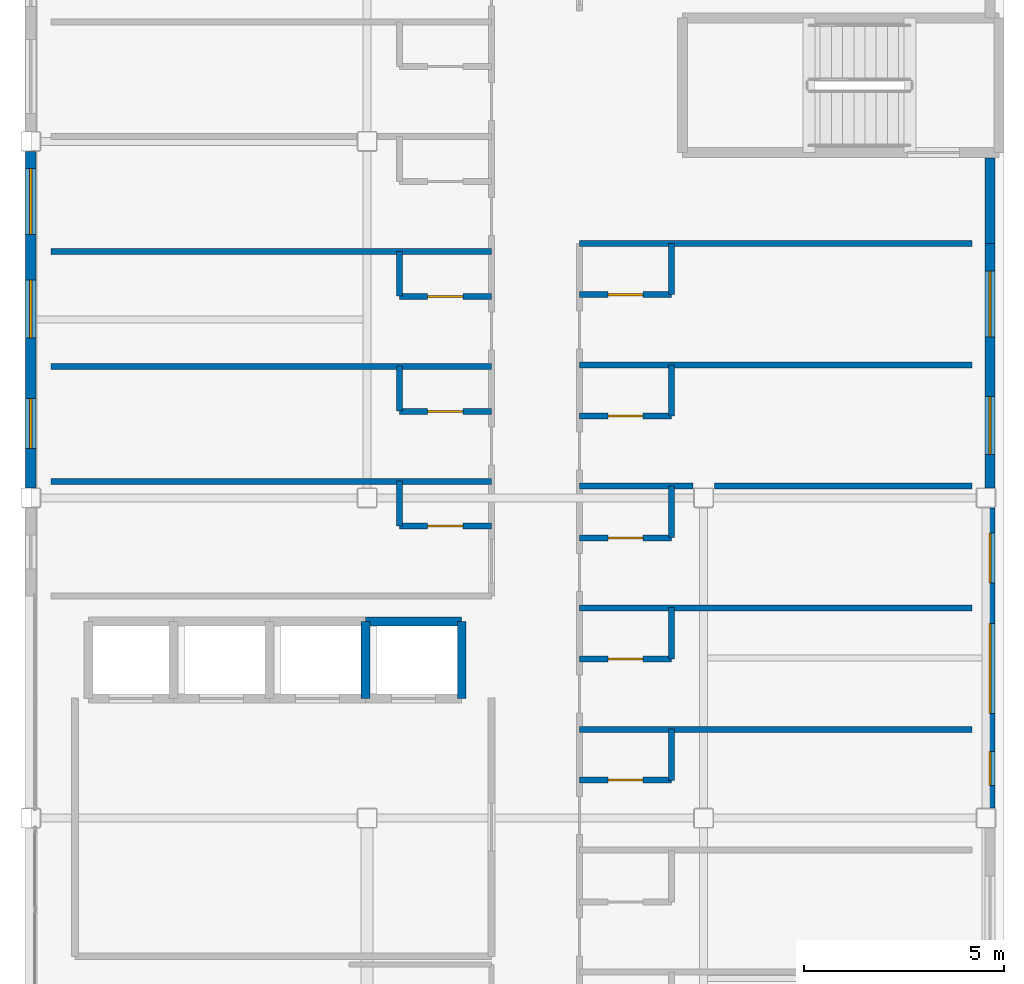
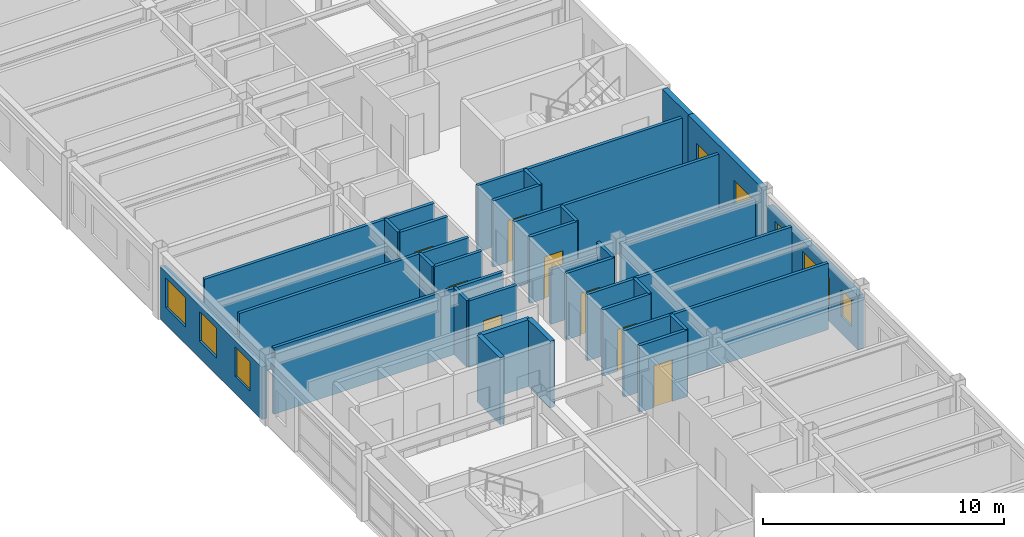
# One storey, part 28 of 33: 32 walls, 8 doors, 8 windows, 16 openings.
"""IFC4 building model written with IfcOpenShell, lengths in metres."""

from ifc_helpers import new_model, si_unit, direction, frame, frame_2d, origin, place, context, subcontext, project, spatial, rectangle, extrude, material, layer, layer_set, type_object, element, fill, save


model = new_model("IFC4")

# Units and contexts
model_context = context("Model", 3, precision=1e-05, world=origin(), true_north=direction((0.0, 1.0)))
body_context = subcontext(model_context, "Body", "Model", "MODEL_VIEW")
ifc_project = project(units=[si_unit("LENGTHUNIT", "METRE"), si_unit("AREAUNIT", "SQUARE_METRE"), si_unit("VOLUMEUNIT", "CUBIC_METRE"), si_unit("PLANEANGLEUNIT", "RADIAN"), si_unit("MASSUNIT", "GRAM", prefix="KILO")], contexts=[model_context])

# Site, building, storey
site_placement = place(None, origin())
site = spatial("IfcSite", under=ifc_project, at=site_placement, CompositionType="ELEMENT")
building_placement = place(site_placement, origin())
building = spatial("IfcBuilding", under=site, at=building_placement, Name="Kazehara Bluff Congress Hotel", CompositionType="ELEMENT")
storey_placement = place(building_placement, frame((0.0, 0.0, 39.0)))
storey = spatial("IfcBuildingStorey", under=building, at=storey_placement, Name="L09", CompositionType="ELEMENT", Elevation=39.0)

# Wall
ifc_material_1 = material(Name="Precast concrete C40/50", Category="concrete")
ifc_layer_1 = layer(ifc_material_1, 0.239990234375)
ifc_layer_set_1 = layer_set([ifc_layer_1], Name="Precast concrete C40/50")
wall_type_1 = type_object("IfcWallType", Name="TP-EW-240", PredefinedType="SOLIDWALL", material=ifc_layer_set_1)
wall_1_placement = place(storey_placement, frame((167.64990234375, 72.93994140625, 0.0), z_axis=(0.0, 0.0, 1.0), x_axis=(0.0, -1.0, 0.0)))
element("IfcWall", 1, at=wall_1_placement, inside=storey, type_object=wall_type_1, Name="L09 V5 perimeter spandrel pier 753", PredefinedType="SOLIDWALL", context=body_context, shape_type="SweptSolid", body=[
    extrude(rectangle(XDim=2.139892578125, YDim=0.239990234375, at=frame_2d((1.06982421875, 0.0))), origin(), (0.0, 0.0, 1.0), 3.364990234375),
])

# Wall, openings, windows
ifc_material_2 = material(Name="Precast concrete C40/50", Category="concrete")
ifc_layer_2 = layer(ifc_material_2, 0.260009765625)
ifc_layer_set_2 = layer_set([ifc_layer_2], Name="Precast concrete C40/50")
wall_type_2 = type_object("IfcWallType", Name="TP-EW-260", PredefinedType="SOLIDWALL", material=ifc_layer_set_2)
wall_2_placement = place(storey_placement, frame((167.64990234375, 64.199951171875, 0.0), z_axis=(0.0, 0.0, 1.0), x_axis=(0.0, -1.0, 0.0)))
wall_2 = element("IfcWall", 2, at=wall_2_placement, inside=storey, type_object=wall_type_2, Name="L09 hotel facade panel 136", PredefinedType="SOLIDWALL", context=body_context, shape_type="SweptSolid", body=[
    extrude(rectangle(XDim=7.5, YDim=0.260009765625, at=frame_2d((3.75, 0.0))), origin(), (0.0, 0.0, 1.0), 2.7548828125),
])
opening_1_placement = place(wall_2_placement, frame((6.090087890625, 0.0, 0.85009765625)))
opening_1 = element("IfcOpeningElement", 3, at=opening_1_placement, cuts=wall_2, Name="Opening WN-55", PredefinedType="OPENING", context=body_context, shape_type="SweptSolid", body=[
    extrude(rectangle(XDim=0.85009765625, YDim=1.35009765625, at=frame_2d((0.425048828125, 0.675048828125))), frame((0.0, 0.139892578125, 0.0), z_axis=(0.0, -1.0, 0.0), x_axis=(1.0, 0.0, 0.0)), (0.0, 0.0, 1.0), 0.280029296875),
])
opening_2_placement = place(wall_2_placement, frame((2.885009765625, 0.0, 0.85009765625)))
opening_2 = element("IfcOpeningElement", 4, at=opening_2_placement, cuts=wall_2, Name="Opening WN-51", PredefinedType="OPENING", context=body_context, shape_type="SweptSolid", body=[
    extrude(rectangle(XDim=2.25, YDim=1.35009765625, at=frame_2d((1.125, 0.675048828125))), frame((0.0, 0.139892578125, 0.0), z_axis=(0.0, -1.0, 0.0), x_axis=(1.0, 0.0, 0.0)), (0.0, 0.0, 1.0), 0.280029296875),
])
opening_3_placement = place(wall_2_placement, frame((0.625, 0.0, 0.85009765625)))
opening_3 = element("IfcOpeningElement", 5, at=opening_3_placement, cuts=wall_2, Name="Opening WN-07", PredefinedType="OPENING", context=body_context, shape_type="SweptSolid", body=[
    extrude(rectangle(XDim=1.25, YDim=1.5, at=frame_2d((0.625, 0.75))), frame((0.0, 0.139892578125, 0.0), z_axis=(0.0, -1.0, 0.0), x_axis=(1.0, 0.0, 0.0)), (0.0, 0.0, 1.0), 0.280029296875),
])
ifc_material_3 = material(Name="Insulated low-E double glazing", Category="glass")
window_type_1 = type_object("IfcWindowType", Name="TP-WN-07", PartitioningType="SINGLE_PANEL", PredefinedType="WINDOW", material=ifc_material_3)
window_1_placement = place(opening_3_placement, origin())
window_1 = element("IfcWindow", 6, at=window_1_placement, inside=storey, type_object=window_type_1, Name="L09 guestroom window WN-07 269", OverallHeight=1.5, OverallWidth=1.25, PartitioningType="SINGLE_PANEL", PredefinedType="WINDOW", context=body_context, shape_type="SweptSolid", body=[
    extrude(rectangle(XDim=1.25, YDim=1.5, at=frame_2d((0.625, 0.75))), frame((0.0, 0.030029296875, 0.0), z_axis=(0.0, -1.0, 0.0), x_axis=(1.0, 0.0, 0.0)), (0.0, 0.0, 1.0), 0.06005859375),
])
fill(opening_3, window_1)
ifc_material_4 = material(Name="Insulated low-E double glazing", Category="glass")
window_type_2 = type_object("IfcWindowType", Name="TP-WN-51", PartitioningType="DOUBLE_PANEL_VERTICAL", PredefinedType="WINDOW", material=ifc_material_4)
window_2_placement = place(opening_2_placement, origin())
window_2 = element("IfcWindow", 7, at=window_2_placement, inside=storey, type_object=window_type_2, Name="L09 guestroom window WN-51 268", OverallHeight=1.35009765625, OverallWidth=2.25, PartitioningType="SINGLE_PANEL", PredefinedType="WINDOW", context=body_context, shape_type="SweptSolid", body=[
    extrude(rectangle(XDim=2.25, YDim=1.35009765625, at=frame_2d((1.125, 0.675048828125))), frame((0.0, 0.030029296875, 0.0), z_axis=(0.0, -1.0, 0.0), x_axis=(1.0, 0.0, 0.0)), (0.0, 0.0, 1.0), 0.06005859375),
])
fill(opening_2, window_2)
ifc_material_5 = material(Name="Insulated low-E double glazing", Category="glass")
window_type_3 = type_object("IfcWindowType", Name="TP-WN-55", PartitioningType="SINGLE_PANEL", PredefinedType="WINDOW", material=ifc_material_5)
window_3_placement = place(opening_1_placement, origin())
window_3 = element("IfcWindow", 8, at=window_3_placement, inside=storey, type_object=window_type_3, Name="L09 guestroom window WN-55 267", OverallHeight=1.35009765625, OverallWidth=0.85009765625, PartitioningType="SINGLE_PANEL", PredefinedType="WINDOW", context=body_context, shape_type="SweptSolid", body=[
    extrude(rectangle(XDim=0.85009765625, YDim=1.35009765625, at=frame_2d((0.425048828125, 0.675048828125))), frame((0.0, 0.030029296875, 0.0), z_axis=(0.0, -1.0, 0.0), x_axis=(1.0, 0.0, 0.0)), (0.0, 0.0, 1.0), 0.06005859375),
])
fill(opening_1, window_3)

wall_3_placement = place(storey_placement, frame((167.64990234375, 70.800048828125, 0.0), z_axis=(0.0, 0.0, 1.0), x_axis=(0.0, -1.0, 0.0)))
wall_3 = element("IfcWall", 9, at=wall_3_placement, inside=storey, type_object=wall_type_2, Name="L09 hotel facade panel 137", PredefinedType="SOLIDWALL", context=body_context, shape_type="SweptSolid", body=[
    extrude(rectangle(XDim=6.10009765625, YDim=0.260009765625, at=frame_2d((3.050048828125, 0.0))), origin(), (0.0, 0.0, 1.0), 3.364990234375),
])
opening_4_placement = place(wall_3_placement, frame((3.820068359375, 0.0, 0.85009765625)))
opening_4 = element("IfcOpeningElement", 10, at=opening_4_placement, cuts=wall_3, Name="Opening WN-17", PredefinedType="OPENING", context=body_context, shape_type="SweptSolid", body=[
    extrude(rectangle(XDim=1.449951171875, YDim=1.5, at=frame_2d((0.72509765625, 0.75))), frame((0.0, 0.139892578125, 0.0), z_axis=(0.0, -1.0, 0.0), x_axis=(1.0, 0.0, 0.0)), (0.0, 0.0, 1.0), 0.280029296875),
])
opening_5_placement = place(wall_3_placement, frame((0.68994140625, 0.0, 0.85009765625)))
opening_5 = element("IfcOpeningElement", 11, at=opening_5_placement, cuts=wall_3, Name="Opening WN-27", PredefinedType="OPENING", context=body_context, shape_type="SweptSolid", body=[
    extrude(rectangle(XDim=1.64990234375, YDim=1.5, at=frame_2d((0.824951171875, 0.75))), frame((0.0, 0.139892578125, 0.0), z_axis=(0.0, -1.0, 0.0), x_axis=(1.0, 0.0, 0.0)), (0.0, 0.0, 1.0), 0.280029296875),
])
ifc_material_6 = material(Name="Insulated low-E double glazing", Category="glass")
window_type_4 = type_object("IfcWindowType", Name="TP-WN-17", PartitioningType="SINGLE_PANEL", PredefinedType="WINDOW", material=ifc_material_6)
window_4_placement = place(opening_4_placement, origin())
window_4 = element("IfcWindow", 12, at=window_4_placement, inside=storey, type_object=window_type_4, Name="L09 guestroom window WN-17 270", OverallHeight=1.5, OverallWidth=1.449951171875, PartitioningType="SINGLE_PANEL", PredefinedType="WINDOW", context=body_context, shape_type="SweptSolid", body=[
    extrude(rectangle(XDim=1.449951171875, YDim=1.5, at=frame_2d((0.72509765625, 0.75))), frame((0.0, 0.030029296875, 0.0), z_axis=(0.0, -1.0, 0.0), x_axis=(1.0, 0.0, 0.0)), (0.0, 0.0, 1.0), 0.06005859375),
])
fill(opening_4, window_4)
ifc_material_7 = material(Name="Insulated low-E double glazing", Category="glass")
window_type_5 = type_object("IfcWindowType", Name="TP-WN-27", PartitioningType="SINGLE_PANEL", PredefinedType="WINDOW", material=ifc_material_7)
window_5_placement = place(opening_5_placement, origin())
window_5 = element("IfcWindow", 13, at=window_5_placement, inside=storey, type_object=window_type_5, Name="L09 guestroom window WN-27 271", OverallHeight=1.5, OverallWidth=1.64990234375, PartitioningType="SINGLE_PANEL", PredefinedType="WINDOW", context=body_context, shape_type="SweptSolid", body=[
    extrude(rectangle(XDim=1.64990234375, YDim=1.5, at=frame_2d((0.824951171875, 0.75))), frame((0.0, 0.030029296875, 0.0), z_axis=(0.0, -1.0, 0.0), x_axis=(1.0, 0.0, 0.0)), (0.0, 0.0, 1.0), 0.06005859375),
])
fill(opening_5, window_5)

wall_4_placement = place(storey_placement, frame((143.699951171875, 64.699951171875, 0.0), z_axis=(0.0, 0.0, 1.0), x_axis=(0.0, 1.0, 0.0)))
wall_4 = element("IfcWall", 14, at=wall_4_placement, inside=storey, type_object=wall_type_2, Name="L09 hotel facade panel 146", PredefinedType="SOLIDWALL", context=body_context, shape_type="SweptSolid", body=[
    extrude(rectangle(XDim=8.400146484375, YDim=0.260009765625, at=frame_2d((4.2001953125, 0.0))), origin(), (0.0, 0.0, 1.0), 2.655029296875),
])
opening_6_placement = place(wall_4_placement, frame((0.97509765625, 0.0, 0.85009765625)))
opening_6 = element("IfcOpeningElement", 15, at=opening_6_placement, cuts=wall_4, Name="Opening WN-07", PredefinedType="OPENING", context=body_context, shape_type="SweptSolid", body=[
    extrude(rectangle(XDim=1.25, YDim=1.5, at=frame_2d((0.625, 0.75))), frame((0.0, 0.139892578125, 0.0), z_axis=(0.0, -1.0, 0.0), x_axis=(1.0, 0.0, 0.0)), (0.0, 0.0, 1.0), 0.280029296875),
])
opening_7_placement = place(wall_4_placement, frame((3.739990234375, 0.0, 0.85009765625)))
opening_7 = element("IfcOpeningElement", 16, at=opening_7_placement, cuts=wall_4, Name="Opening WN-17", PredefinedType="OPENING", context=body_context, shape_type="SweptSolid", body=[
    extrude(rectangle(XDim=1.449951171875, YDim=1.5, at=frame_2d((0.72509765625, 0.75))), frame((0.0, 0.139892578125, 0.0), z_axis=(0.0, -1.0, 0.0), x_axis=(1.0, 0.0, 0.0)), (0.0, 0.0, 1.0), 0.280029296875),
])
opening_8_placement = place(wall_4_placement, frame((6.324951171875, 0.0, 0.85009765625)))
opening_8 = element("IfcOpeningElement", 17, at=opening_8_placement, cuts=wall_4, Name="Opening WN-27", PredefinedType="OPENING", context=body_context, shape_type="SweptSolid", body=[
    extrude(rectangle(XDim=1.64990234375, YDim=1.5, at=frame_2d((0.824951171875, 0.75))), frame((0.0, 0.139892578125, 0.0), z_axis=(0.0, -1.0, 0.0), x_axis=(1.0, 0.0, 0.0)), (0.0, 0.0, 1.0), 0.280029296875),
])
window_6_placement = place(opening_6_placement, origin())
window_6 = element("IfcWindow", 18, at=window_6_placement, inside=storey, type_object=window_type_1, Name="L09 guestroom window WN-07 284", OverallHeight=1.5, OverallWidth=1.25, PartitioningType="SINGLE_PANEL", PredefinedType="WINDOW", context=body_context, shape_type="SweptSolid", body=[
    extrude(rectangle(XDim=1.25, YDim=1.5, at=frame_2d((0.625, 0.75))), frame((0.0, 0.030029296875, 0.0), z_axis=(0.0, -1.0, 0.0), x_axis=(1.0, 0.0, 0.0)), (0.0, 0.0, 1.0), 0.06005859375),
])
fill(opening_6, window_6)
window_7_placement = place(opening_7_placement, origin())
window_7 = element("IfcWindow", 19, at=window_7_placement, inside=storey, type_object=window_type_4, Name="L09 guestroom window WN-17 285", OverallHeight=1.5, OverallWidth=1.449951171875, PartitioningType="SINGLE_PANEL", PredefinedType="WINDOW", context=body_context, shape_type="SweptSolid", body=[
    extrude(rectangle(XDim=1.449951171875, YDim=1.5, at=frame_2d((0.72509765625, 0.75))), frame((0.0, 0.030029296875, 0.0), z_axis=(0.0, -1.0, 0.0), x_axis=(1.0, 0.0, 0.0)), (0.0, 0.0, 1.0), 0.06005859375),
])
fill(opening_7, window_7)
window_8_placement = place(opening_8_placement, origin())
window_8 = element("IfcWindow", 20, at=window_8_placement, inside=storey, type_object=window_type_5, Name="L09 guestroom window WN-27 286", OverallHeight=1.5, OverallWidth=1.64990234375, PartitioningType="SINGLE_PANEL", PredefinedType="WINDOW", context=body_context, shape_type="SweptSolid", body=[
    extrude(rectangle(XDim=1.64990234375, YDim=1.5, at=frame_2d((0.824951171875, 0.75))), frame((0.0, 0.030029296875, 0.0), z_axis=(0.0, -1.0, 0.0), x_axis=(1.0, 0.0, 0.0)), (0.0, 0.0, 1.0), 0.06005859375),
])
fill(opening_8, window_8)

# Wall, opening, door
ifc_material_8 = material(Name="Fire-rated gypsum board stud partition")
ifc_layer_3 = layer(ifc_material_8, 0.14990234375)
ifc_layer_set_3 = layer_set([ifc_layer_3], Name="Fire-rated gypsum board stud partition")
wall_type_3 = type_object("IfcWallType", Name="TP-PT-150", PredefinedType="PARTITIONING", material=ifc_layer_set_3)
wall_5_placement = place(storey_placement, frame((157.39990234375, 57.39990234375, 0.0), z_axis=(0.0, 0.0, 1.0), x_axis=(1.0, 0.0, 0.0)))
wall_5 = element("IfcWall", 21, at=wall_5_placement, inside=storey, type_object=wall_type_3, Name="L09 partition PT-150 1221", PredefinedType="PARTITIONING", context=body_context, shape_type="SweptSolid", body=[
    extrude(rectangle(XDim=2.300048828125, YDim=0.14990234375, at=frame_2d((1.14990234375, 0.0))), origin(), (0.0, 0.0, 1.0), 3.364990234375),
])
opening_9_placement = place(wall_5_placement, frame((0.7099609375, 0.0, 0.0)))
opening_9 = element("IfcOpeningElement", 22, at=opening_9_placement, cuts=wall_5, Name="Opening BD-02", PredefinedType="OPENING", context=body_context, shape_type="SweptSolid", body=[
    extrude(rectangle(XDim=0.8798828125, YDim=2.1201171875, at=frame_2d((0.43994140625, 1.06005859375))), frame((0.0, 0.0849609375, 0.0), z_axis=(0.0, -1.0, 0.0), x_axis=(1.0, 0.0, 0.0)), (0.0, 0.0, 1.0), 0.169921875),
])
ifc_material_9 = material(Name="Architectural oak veneer leaf")
door_type = type_object("IfcDoorType", Name="TP-BD-02", OperationType="NOTDEFINED", PredefinedType="DOOR", material=ifc_material_9)
door_1_placement = place(opening_9_placement, origin())
door_1 = element("IfcDoor", 23, at=door_1_placement, inside=storey, type_object=door_type, Name="L09 En-suite Bathroom 288 door", OperationType="SINGLE_SWING_RIGHT", OverallHeight=2.1201171875, OverallWidth=0.8798828125, PredefinedType="DOOR", context=body_context, shape_type="SweptSolid", body=[
    extrude(rectangle(XDim=0.8798828125, YDim=2.1201171875, at=frame_2d((0.43994140625, 1.06005859375))), frame((0.0, 0.02490234375, 0.0), z_axis=(0.0, -1.0, 0.0), x_axis=(1.0, 0.0, 0.0)), (0.0, 0.0, 1.0), 0.050048828125),
])
fill(opening_9, door_1)

# Wall
wall_6_placement = place(storey_placement, frame((157.39990234375, 58.669921875, 0.0), z_axis=(0.0, 0.0, 1.0), x_axis=(1.0, 0.0, 0.0)))
element("IfcWall", 24, at=wall_6_placement, inside=storey, type_object=wall_type_3, Name="L09 partition PT-150 1222", PredefinedType="PARTITIONING", context=body_context, shape_type="SweptSolid", body=[
    extrude(rectangle(XDim=9.800048828125, YDim=0.14990234375, at=frame_2d((4.89990234375, 0.0))), origin(), (0.0, 0.0, 1.0), 3.364990234375),
])

# Wall, opening, door
wall_7_placement = place(storey_placement, frame((157.39990234375, 60.419921875, 0.0), z_axis=(0.0, 0.0, 1.0), x_axis=(1.0, 0.0, 0.0)))
wall_7 = element("IfcWall", 25, at=wall_7_placement, inside=storey, type_object=wall_type_3, Name="L09 partition PT-150 1223", PredefinedType="PARTITIONING", context=body_context, shape_type="SweptSolid", body=[
    extrude(rectangle(XDim=2.300048828125, YDim=0.14990234375, at=frame_2d((1.14990234375, 0.0))), origin(), (0.0, 0.0, 1.0), 3.364990234375),
])
opening_10_placement = place(wall_7_placement, frame((0.7099609375, 0.0, 0.0)))
opening_10 = element("IfcOpeningElement", 26, at=opening_10_placement, cuts=wall_7, Name="Opening BD-02", PredefinedType="OPENING", context=body_context, shape_type="SweptSolid", body=[
    extrude(rectangle(XDim=0.8798828125, YDim=2.1201171875, at=frame_2d((0.43994140625, 1.06005859375))), frame((0.0, 0.0849609375, 0.0), z_axis=(0.0, -1.0, 0.0), x_axis=(1.0, 0.0, 0.0)), (0.0, 0.0, 1.0), 0.169921875),
])
door_2_placement = place(opening_10_placement, origin())
door_2 = element("IfcDoor", 27, at=door_2_placement, inside=storey, type_object=door_type, Name="L09 En-suite Bathroom 289 door", OperationType="SINGLE_SWING_RIGHT", OverallHeight=2.1201171875, OverallWidth=0.8798828125, PredefinedType="DOOR", context=body_context, shape_type="SweptSolid", body=[
    extrude(rectangle(XDim=0.8798828125, YDim=2.1201171875, at=frame_2d((0.43994140625, 1.06005859375))), frame((0.0, 0.02490234375, 0.0), z_axis=(0.0, -1.0, 0.0), x_axis=(1.0, 0.0, 0.0)), (0.0, 0.0, 1.0), 0.050048828125),
])
fill(opening_10, door_2)

# Wall
wall_8_placement = place(storey_placement, frame((157.39990234375, 61.699951171875, 0.0), z_axis=(0.0, 0.0, 1.0), x_axis=(1.0, 0.0, 0.0)))
element("IfcWall", 28, at=wall_8_placement, inside=storey, type_object=wall_type_3, Name="L09 partition PT-150 1224", PredefinedType="PARTITIONING", context=body_context, shape_type="SweptSolid", body=[
    extrude(rectangle(XDim=9.800048828125, YDim=0.14990234375, at=frame_2d((4.89990234375, 0.0))), origin(), (0.0, 0.0, 1.0), 3.364990234375),
])

# Wall, opening, door
wall_9_placement = place(storey_placement, frame((157.39990234375, 63.449951171875, 0.0), z_axis=(0.0, 0.0, 1.0), x_axis=(1.0, 0.0, 0.0)))
wall_9 = element("IfcWall", 29, at=wall_9_placement, inside=storey, type_object=wall_type_3, Name="L09 partition PT-150 1226", PredefinedType="PARTITIONING", context=body_context, shape_type="SweptSolid", body=[
    extrude(rectangle(XDim=2.300048828125, YDim=0.14990234375, at=frame_2d((1.14990234375, 0.0))), origin(), (0.0, 0.0, 1.0), 3.364990234375),
])
opening_11_placement = place(wall_9_placement, frame((0.7099609375, 0.0, 0.0)))
opening_11 = element("IfcOpeningElement", 30, at=opening_11_placement, cuts=wall_9, Name="Opening BD-02", PredefinedType="OPENING", context=body_context, shape_type="SweptSolid", body=[
    extrude(rectangle(XDim=0.8798828125, YDim=2.1201171875, at=frame_2d((0.43994140625, 1.06005859375))), frame((0.0, 0.0849609375, 0.0), z_axis=(0.0, -1.0, 0.0), x_axis=(1.0, 0.0, 0.0)), (0.0, 0.0, 1.0), 0.169921875),
])
door_3_placement = place(opening_11_placement, origin())
door_3 = element("IfcDoor", 31, at=door_3_placement, inside=storey, type_object=door_type, Name="L09 En-suite Bathroom 290 door", OperationType="SINGLE_SWING_RIGHT", OverallHeight=2.1201171875, OverallWidth=0.8798828125, PredefinedType="DOOR", context=body_context, shape_type="SweptSolid", body=[
    extrude(rectangle(XDim=0.8798828125, YDim=2.1201171875, at=frame_2d((0.43994140625, 1.06005859375))), frame((0.0, 0.02490234375, 0.0), z_axis=(0.0, -1.0, 0.0), x_axis=(1.0, 0.0, 0.0)), (0.0, 0.0, 1.0), 0.050048828125),
])
fill(opening_11, door_3)

wall_10_placement = place(storey_placement, frame((152.89990234375, 63.75, 0.0), z_axis=(0.0, 0.0, 1.0), x_axis=(1.0, 0.0, 0.0)))
wall_10 = element("IfcWall", 32, at=wall_10_placement, inside=storey, type_object=wall_type_3, Name="L09 partition PT-150 1227", PredefinedType="PARTITIONING", context=body_context, shape_type="SweptSolid", body=[
    extrude(rectangle(XDim=2.300048828125, YDim=0.14990234375, at=frame_2d((1.14990234375, 0.0))), origin(), (0.0, 0.0, 1.0), 3.364990234375),
])
opening_12_placement = place(wall_10_placement, frame((0.7099609375, 0.0, 0.0)))
opening_12 = element("IfcOpeningElement", 33, at=opening_12_placement, cuts=wall_10, Name="Opening BD-02", PredefinedType="OPENING", context=body_context, shape_type="SweptSolid", body=[
    extrude(rectangle(XDim=0.8798828125, YDim=2.1201171875, at=frame_2d((0.43994140625, 1.06005859375))), frame((0.0, 0.0849609375, 0.0), z_axis=(0.0, -1.0, 0.0), x_axis=(1.0, 0.0, 0.0)), (0.0, 0.0, 1.0), 0.169921875),
])
door_4_placement = place(opening_12_placement, origin())
door_4 = element("IfcDoor", 34, at=door_4_placement, inside=storey, type_object=door_type, Name="L09 En-suite Bathroom 262 door", OperationType="SINGLE_SWING_RIGHT", OverallHeight=2.1201171875, OverallWidth=0.8798828125, PredefinedType="DOOR", context=body_context, shape_type="SweptSolid", body=[
    extrude(rectangle(XDim=0.8798828125, YDim=2.1201171875, at=frame_2d((0.43994140625, 1.06005859375))), frame((0.0, 0.02490234375, 0.0), z_axis=(0.0, -1.0, 0.0), x_axis=(1.0, 0.0, 0.0)), (0.0, 0.0, 1.0), 0.050048828125),
])
fill(opening_12, door_4)

# Walls
wall_11_placement = place(storey_placement, frame((157.39990234375, 64.739990234375, 0.0), z_axis=(0.0, 0.0, 1.0), x_axis=(1.0, 0.0, 0.0)))
element("IfcWall", 35, at=wall_11_placement, inside=storey, type_object=wall_type_3, Name="L09 partition PT-150 1228", PredefinedType="PARTITIONING", context=body_context, shape_type="SweptSolid", body=[
    extrude(rectangle(XDim=2.830078125, YDim=0.14990234375, at=frame_2d((1.4150390625, 0.0))), origin(), (0.0, 0.0, 1.0), 2.7548828125),
])
wall_12_placement = place(storey_placement, frame((160.77001953125, 64.739990234375, 0.0), z_axis=(0.0, 0.0, 1.0), x_axis=(1.0, 0.0, 0.0)))
element("IfcWall", 36, at=wall_12_placement, inside=storey, type_object=wall_type_3, Name="L09 partition PT-150 1229", PredefinedType="PARTITIONING", context=body_context, shape_type="SweptSolid", body=[
    extrude(rectangle(XDim=6.429931640625, YDim=0.14990234375, at=frame_2d((3.21484375, 0.0))), origin(), (0.0, 0.0, 1.0), 2.905029296875),
])
wall_13_placement = place(storey_placement, frame((144.199951171875, 64.860107421875, 0.0), z_axis=(0.0, 0.0, 1.0), x_axis=(1.0, 0.0, 0.0)))
element("IfcWall", 37, at=wall_13_placement, inside=storey, type_object=wall_type_3, Name="L09 partition PT-150 1230", PredefinedType="PARTITIONING", context=body_context, shape_type="SweptSolid", body=[
    extrude(rectangle(XDim=11.0, YDim=0.14990234375, at=frame_2d((5.5, 0.0))), origin(), (0.0, 0.0, 1.0), 3.364990234375),
])

# Wall, opening, door
wall_14_placement = place(storey_placement, frame((157.39990234375, 66.489990234375, 0.0), z_axis=(0.0, 0.0, 1.0), x_axis=(1.0, 0.0, 0.0)))
wall_14 = element("IfcWall", 38, at=wall_14_placement, inside=storey, type_object=wall_type_3, Name="L09 partition PT-150 1231", PredefinedType="PARTITIONING", context=body_context, shape_type="SweptSolid", body=[
    extrude(rectangle(XDim=2.300048828125, YDim=0.14990234375, at=frame_2d((1.14990234375, 0.0))), origin(), (0.0, 0.0, 1.0), 3.364990234375),
])
opening_13_placement = place(wall_14_placement, frame((0.7099609375, 0.0, 0.0)))
opening_13 = element("IfcOpeningElement", 39, at=opening_13_placement, cuts=wall_14, Name="Opening BD-02", PredefinedType="OPENING", context=body_context, shape_type="SweptSolid", body=[
    extrude(rectangle(XDim=0.8798828125, YDim=2.1201171875, at=frame_2d((0.43994140625, 1.06005859375))), frame((0.0, 0.0849609375, 0.0), z_axis=(0.0, -1.0, 0.0), x_axis=(1.0, 0.0, 0.0)), (0.0, 0.0, 1.0), 0.169921875),
])
door_5_placement = place(opening_13_placement, origin())
door_5 = element("IfcDoor", 40, at=door_5_placement, inside=storey, type_object=door_type, Name="L09 En-suite Bathroom 291 door", OperationType="SINGLE_SWING_RIGHT", OverallHeight=2.1201171875, OverallWidth=0.8798828125, PredefinedType="DOOR", context=body_context, shape_type="SweptSolid", body=[
    extrude(rectangle(XDim=0.8798828125, YDim=2.1201171875, at=frame_2d((0.43994140625, 1.06005859375))), frame((0.0, 0.02490234375, 0.0), z_axis=(0.0, -1.0, 0.0), x_axis=(1.0, 0.0, 0.0)), (0.0, 0.0, 1.0), 0.050048828125),
])
fill(opening_13, door_5)

wall_15_placement = place(storey_placement, frame((152.89990234375, 66.610107421875, 0.0), z_axis=(0.0, 0.0, 1.0), x_axis=(1.0, 0.0, 0.0)))
wall_15 = element("IfcWall", 41, at=wall_15_placement, inside=storey, type_object=wall_type_3, Name="L09 partition PT-150 1232", PredefinedType="PARTITIONING", context=body_context, shape_type="SweptSolid", body=[
    extrude(rectangle(XDim=2.300048828125, YDim=0.14990234375, at=frame_2d((1.14990234375, 0.0))), origin(), (0.0, 0.0, 1.0), 3.364990234375),
])
opening_14_placement = place(wall_15_placement, frame((0.7099609375, 0.0, 0.0)))
opening_14 = element("IfcOpeningElement", 42, at=opening_14_placement, cuts=wall_15, Name="Opening BD-02", PredefinedType="OPENING", context=body_context, shape_type="SweptSolid", body=[
    extrude(rectangle(XDim=0.8798828125, YDim=2.1201171875, at=frame_2d((0.43994140625, 1.06005859375))), frame((0.0, 0.0849609375, 0.0), z_axis=(0.0, -1.0, 0.0), x_axis=(1.0, 0.0, 0.0)), (0.0, 0.0, 1.0), 0.169921875),
])
door_6_placement = place(opening_14_placement, origin())
door_6 = element("IfcDoor", 43, at=door_6_placement, inside=storey, type_object=door_type, Name="L09 En-suite Bathroom 263 door", OperationType="SINGLE_SWING_RIGHT", OverallHeight=2.1201171875, OverallWidth=0.8798828125, PredefinedType="DOOR", context=body_context, shape_type="SweptSolid", body=[
    extrude(rectangle(XDim=0.8798828125, YDim=2.1201171875, at=frame_2d((0.43994140625, 1.06005859375))), frame((0.0, 0.02490234375, 0.0), z_axis=(0.0, -1.0, 0.0), x_axis=(1.0, 0.0, 0.0)), (0.0, 0.0, 1.0), 0.050048828125),
])
fill(opening_14, door_6)

# Walls
wall_16_placement = place(storey_placement, frame((144.199951171875, 67.72998046875, 0.0), z_axis=(0.0, 0.0, 1.0), x_axis=(1.0, 0.0, 0.0)))
element("IfcWall", 44, at=wall_16_placement, inside=storey, type_object=wall_type_3, Name="L09 partition PT-150 1233", PredefinedType="PARTITIONING", context=body_context, shape_type="SweptSolid", body=[
    extrude(rectangle(XDim=11.0, YDim=0.14990234375, at=frame_2d((5.5, 0.0))), origin(), (0.0, 0.0, 1.0), 3.364990234375),
])
wall_17_placement = place(storey_placement, frame((157.39990234375, 67.77001953125, 0.0), z_axis=(0.0, 0.0, 1.0), x_axis=(1.0, 0.0, 0.0)))
element("IfcWall", 45, at=wall_17_placement, inside=storey, type_object=wall_type_3, Name="L09 partition PT-150 1234", PredefinedType="PARTITIONING", context=body_context, shape_type="SweptSolid", body=[
    extrude(rectangle(XDim=9.800048828125, YDim=0.14990234375, at=frame_2d((4.89990234375, 0.0))), origin(), (0.0, 0.0, 1.0), 3.364990234375),
])

# Wall, opening, door
wall_18_placement = place(storey_placement, frame((152.89990234375, 69.47998046875, 0.0), z_axis=(0.0, 0.0, 1.0), x_axis=(1.0, 0.0, 0.0)))
wall_18 = element("IfcWall", 46, at=wall_18_placement, inside=storey, type_object=wall_type_3, Name="L09 partition PT-150 1235", PredefinedType="PARTITIONING", context=body_context, shape_type="SweptSolid", body=[
    extrude(rectangle(XDim=2.300048828125, YDim=0.14990234375, at=frame_2d((1.14990234375, 0.0))), origin(), (0.0, 0.0, 1.0), 3.364990234375),
])
opening_15_placement = place(wall_18_placement, frame((0.7099609375, 0.0, 0.0)))
opening_15 = element("IfcOpeningElement", 47, at=opening_15_placement, cuts=wall_18, Name="Opening BD-02", PredefinedType="OPENING", context=body_context, shape_type="SweptSolid", body=[
    extrude(rectangle(XDim=0.8798828125, YDim=2.1201171875, at=frame_2d((0.43994140625, 1.06005859375))), frame((0.0, 0.0849609375, 0.0), z_axis=(0.0, -1.0, 0.0), x_axis=(1.0, 0.0, 0.0)), (0.0, 0.0, 1.0), 0.169921875),
])
door_7_placement = place(opening_15_placement, origin())
door_7 = element("IfcDoor", 48, at=door_7_placement, inside=storey, type_object=door_type, Name="L09 En-suite Bathroom 264 door", OperationType="SINGLE_SWING_RIGHT", OverallHeight=2.1201171875, OverallWidth=0.8798828125, PredefinedType="DOOR", context=body_context, shape_type="SweptSolid", body=[
    extrude(rectangle(XDim=0.8798828125, YDim=2.1201171875, at=frame_2d((0.43994140625, 1.06005859375))), frame((0.0, 0.02490234375, 0.0), z_axis=(0.0, -1.0, 0.0), x_axis=(1.0, 0.0, 0.0)), (0.0, 0.0, 1.0), 0.050048828125),
])
fill(opening_15, door_7)

wall_19_placement = place(storey_placement, frame((157.39990234375, 69.52001953125, 0.0), z_axis=(0.0, 0.0, 1.0), x_axis=(1.0, 0.0, 0.0)))
wall_19 = element("IfcWall", 49, at=wall_19_placement, inside=storey, type_object=wall_type_3, Name="L09 partition PT-150 1236", PredefinedType="PARTITIONING", context=body_context, shape_type="SweptSolid", body=[
    extrude(rectangle(XDim=2.300048828125, YDim=0.14990234375, at=frame_2d((1.14990234375, 0.0))), origin(), (0.0, 0.0, 1.0), 3.364990234375),
])
opening_16_placement = place(wall_19_placement, frame((0.7099609375, 0.0, 0.0)))
opening_16 = element("IfcOpeningElement", 50, at=opening_16_placement, cuts=wall_19, Name="Opening BD-02", PredefinedType="OPENING", context=body_context, shape_type="SweptSolid", body=[
    extrude(rectangle(XDim=0.8798828125, YDim=2.1201171875, at=frame_2d((0.43994140625, 1.06005859375))), frame((0.0, 0.0849609375, 0.0), z_axis=(0.0, -1.0, 0.0), x_axis=(1.0, 0.0, 0.0)), (0.0, 0.0, 1.0), 0.169921875),
])
door_8_placement = place(opening_16_placement, origin())
door_8 = element("IfcDoor", 51, at=door_8_placement, inside=storey, type_object=door_type, Name="L09 En-suite Bathroom 292 door", OperationType="SINGLE_SWING_RIGHT", OverallHeight=2.1201171875, OverallWidth=0.8798828125, PredefinedType="DOOR", context=body_context, shape_type="SweptSolid", body=[
    extrude(rectangle(XDim=0.8798828125, YDim=2.1201171875, at=frame_2d((0.43994140625, 1.06005859375))), frame((0.0, 0.02490234375, 0.0), z_axis=(0.0, -1.0, 0.0), x_axis=(1.0, 0.0, 0.0)), (0.0, 0.0, 1.0), 0.050048828125),
])
fill(opening_16, door_8)

# Walls
wall_20_placement = place(storey_placement, frame((144.199951171875, 70.60009765625, 0.0), z_axis=(0.0, 0.0, 1.0), x_axis=(1.0, 0.0, 0.0)))
element("IfcWall", 52, at=wall_20_placement, inside=storey, type_object=wall_type_3, Name="L09 partition PT-150 1237", PredefinedType="PARTITIONING", context=body_context, shape_type="SweptSolid", body=[
    extrude(rectangle(XDim=11.0, YDim=0.14990234375, at=frame_2d((5.5, 0.0))), origin(), (0.0, 0.0, 1.0), 3.364990234375),
])
wall_21_placement = place(storey_placement, frame((157.39990234375, 70.800048828125, 0.0), z_axis=(0.0, 0.0, 1.0), x_axis=(1.0, 0.0, 0.0)))
element("IfcWall", 53, at=wall_21_placement, inside=storey, type_object=wall_type_3, Name="L09 partition PT-150 1238", PredefinedType="PARTITIONING", context=body_context, shape_type="SweptSolid", body=[
    extrude(rectangle(XDim=9.800048828125, YDim=0.14990234375, at=frame_2d((4.89990234375, 0.0))), origin(), (0.0, 0.0, 1.0), 3.364990234375),
])
wall_22_placement = place(storey_placement, frame((152.89990234375, 63.75, 0.0), z_axis=(0.0, 0.0, 1.0), x_axis=(0.0, 1.0, 0.0)))
element("IfcWall", 54, at=wall_22_placement, inside=storey, type_object=wall_type_3, Name="L09 partition PT-150 1272", PredefinedType="PARTITIONING", context=body_context, shape_type="SweptSolid", body=[
    extrude(rectangle(XDim=1.114990234375, YDim=0.14990234375, at=frame_2d((0.5576171875, 0.0))), origin(), (0.0, 0.0, 1.0), 3.364990234375),
])
wall_23_placement = place(storey_placement, frame((152.89990234375, 66.614990234375, 0.0), z_axis=(0.0, 0.0, 1.0), x_axis=(0.0, 1.0, 0.0)))
element("IfcWall", 55, at=wall_23_placement, inside=storey, type_object=wall_type_3, Name="L09 partition PT-150 1273", PredefinedType="PARTITIONING", context=body_context, shape_type="SweptSolid", body=[
    extrude(rectangle(XDim=1.1201171875, YDim=0.14990234375, at=frame_2d((0.56005859375, 0.0))), origin(), (0.0, 0.0, 1.0), 3.364990234375),
])
wall_24_placement = place(storey_placement, frame((152.89990234375, 69.485107421875, 0.0), z_axis=(0.0, 0.0, 1.0), x_axis=(0.0, 1.0, 0.0)))
element("IfcWall", 56, at=wall_24_placement, inside=storey, type_object=wall_type_3, Name="L09 partition PT-150 1274", PredefinedType="PARTITIONING", context=body_context, shape_type="SweptSolid", body=[
    extrude(rectangle(XDim=1.114990234375, YDim=0.14990234375, at=frame_2d((0.5576171875, 0.0))), origin(), (0.0, 0.0, 1.0), 3.364990234375),
])
for number, where, z_axis, x_axis, name in (
    (57, (159.699951171875, 57.39501953125, 0.0), (0.0, 0.0, 1.0), (0.0, 1.0, 0.0), "L09 partition PT-150 1308"),
    (58, (159.699951171875, 60.425048828125, 0.0), (0.0, 0.0, 1.0), (0.0, 1.0, 0.0), "L09 partition PT-150 1309"),
):
    element("IfcWall", number, at=place(storey_placement, frame(where, z_axis=z_axis, x_axis=x_axis)), inside=storey, type_object=wall_type_3, Name=name, PredefinedType="PARTITIONING", context=body_context, shape_type="SweptSolid", body=[
        extrude(rectangle(XDim=1.280029296875, YDim=0.14990234375, at=frame_2d((0.64013671875, 0.0))), origin(), (0.0, 0.0, 1.0), 3.364990234375),
    ])
wall_25_placement = place(storey_placement, frame((159.699951171875, 63.455078125, 0.0), z_axis=(0.0, 0.0, 1.0), x_axis=(0.0, 1.0, 0.0)))
element("IfcWall", 59, at=wall_25_placement, inside=storey, type_object=wall_type_3, Name="L09 partition PT-150 1310", PredefinedType="PARTITIONING", context=body_context, shape_type="SweptSolid", body=[
    extrude(rectangle(XDim=1.284912109375, YDim=0.14990234375, at=frame_2d((0.642578125, 0.0))), origin(), (0.0, 0.0, 1.0), 3.364990234375),
])
for number, where, z_axis, x_axis, name in (
    (60, (159.699951171875, 66.489990234375, 0.0), (0.0, 0.0, 1.0), (0.0, 1.0, 0.0), "L09 partition PT-150 1311"),
    (61, (159.699951171875, 69.52001953125, 0.0), (0.0, 0.0, 1.0), (0.0, 1.0, 0.0), "L09 partition PT-150 1312"),
):
    element("IfcWall", number, at=place(storey_placement, frame(where, z_axis=z_axis, x_axis=x_axis)), inside=storey, type_object=wall_type_3, Name=name, PredefinedType="PARTITIONING", context=body_context, shape_type="SweptSolid", body=[
        extrude(rectangle(XDim=1.280029296875, YDim=0.14990234375, at=frame_2d((0.64013671875, 0.0))), origin(), (0.0, 0.0, 1.0), 3.364990234375),
    ])
ifc_material_10 = material(Name="Concrete C40/50", Category="concrete")
ifc_layer_4 = layer(ifc_material_10, 0.219970703125)
ifc_layer_set_4 = layer_set([ifc_layer_4], Name="Concrete C40/50")
wall_type_4 = type_object("IfcWallType", Name="TP-SW-RC", PredefinedType="SHEAR", material=ifc_layer_set_4)
wall_26_placement = place(storey_placement, frame((152.06005859375, 59.43994140625, 0.0), z_axis=(0.0, 0.0, 1.0), x_axis=(0.0, 1.0, 0.0)))
element("IfcWall", 62, at=wall_26_placement, inside=storey, type_object=wall_type_4, Name="L09 EL-P3 lift shaft wall +X", PredefinedType="SHEAR", context=body_context, shape_type="SweptSolid", body=[
    extrude(rectangle(XDim=1.920166015625, YDim=0.219970703125, at=frame_2d((0.9599609375, 0.0))), origin(), (0.0, 0.0, 1.0), 3.3798828125),
])
wall_27_placement = place(storey_placement, frame((152.06005859375, 61.360107421875, 0.0), z_axis=(0.0, 0.0, 1.0), x_axis=(1.0, 0.0, 0.0)))
element("IfcWall", 63, at=wall_27_placement, inside=storey, type_object=wall_type_4, Name="L09 EL-P4 lift shaft wall +Y", PredefinedType="SHEAR", context=body_context, shape_type="SweptSolid", body=[
    extrude(rectangle(XDim=2.39990234375, YDim=0.219970703125, at=frame_2d((1.199951171875, 0.0))), origin(), (0.0, 0.0, 1.0), 3.3798828125),
])
wall_28_placement = place(storey_placement, frame((154.4599609375, 59.43994140625, 0.0), z_axis=(0.0, 0.0, 1.0), x_axis=(0.0, 1.0, 0.0)))
element("IfcWall", 64, at=wall_28_placement, inside=storey, type_object=wall_type_4, Name="L09 EL-P4 lift shaft wall +X", PredefinedType="SHEAR", context=body_context, shape_type="SweptSolid", body=[
    extrude(rectangle(XDim=1.920166015625, YDim=0.219970703125, at=frame_2d((0.9599609375, 0.0))), origin(), (0.0, 0.0, 1.0), 3.3798828125),
])

save(model, "model.ifc")
